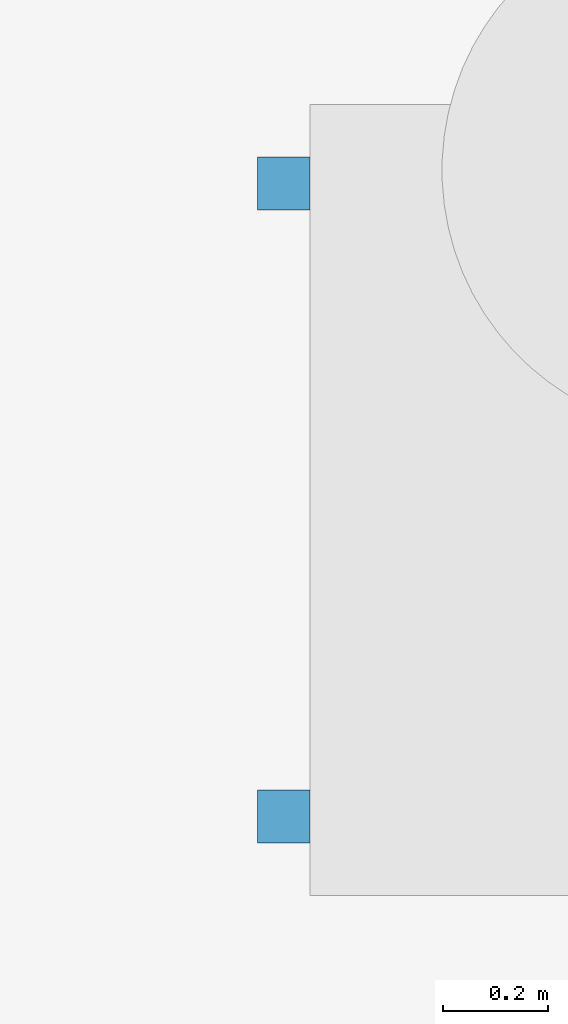
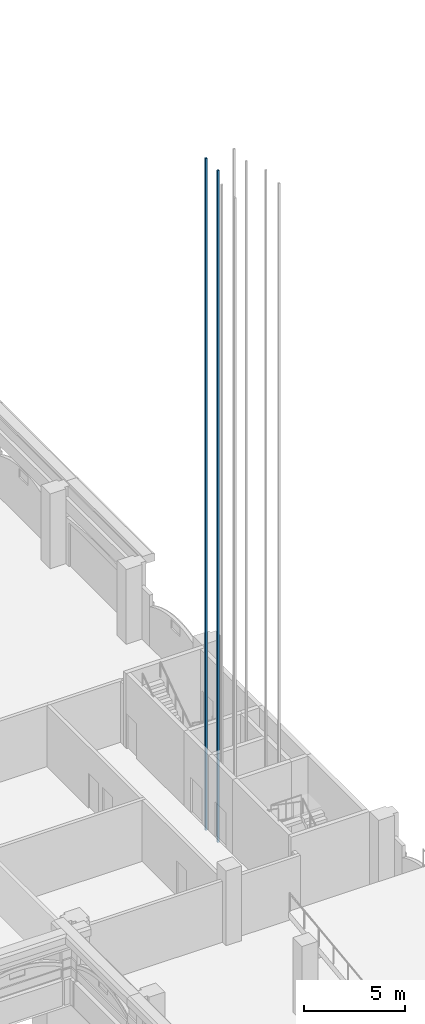
# One storey, part 54 of 99: 2 discrete accessories.
"""IFC4 building model written with IfcOpenShell, lengths in metres."""

import ifcopenshell
import ifcopenshell.guid

model = None  # the IFC model being written
_history = None  # IfcOwnerHistory: only IFC2X3 demands one
_inside = {}  # id of a spatial element -> (the spatial element, [elements in it])
_under = {}  # id of a project, library or spatial element -> (it, [spatial elements below it])
_declared = {}  # id of a project -> (the project, [libraries it declares])
_typed = {}  # id of a type object -> (the type object, [elements of that type])
_made_of = {}  # id of a material, layer set ... -> (it, [elements and type objects made of it])


def new_model(schema):
    """Start an empty IFC model of exactly this schema.

    Asked for "IFC4X3", IfcOpenShell would pick the latest addendum, in which some entities
    have other attributes; the version numbers below select the first issue.
    IFC2X3 requires an IfcOwnerHistory on every rooted entity: one is made here for all.
    """
    global model, _history
    if schema == "IFC4X3":
        model = ifcopenshell.file(schema_version=(4, 3, 0, 0))
    else:
        model = ifcopenshell.file(schema=schema)
    _inside.clear()
    _under.clear()
    _declared.clear()
    _typed.clear()
    _made_of.clear()
    _history = None
    if model.schema == "IFC2X3":
        org = make("IfcOrganization", Name="unknown")
        user = make(
            "IfcPersonAndOrganization",
            ThePerson=make("IfcPerson", FamilyName="unknown"),
            TheOrganization=org,
        )
        app = make(
            "IfcApplication",
            ApplicationDeveloper=org,
            Version="unknown",
            ApplicationFullName="unknown",
            ApplicationIdentifier="unknown",
        )
        _history = make(
            "IfcOwnerHistory",
            OwningUser=user,
            OwningApplication=app,
            ChangeAction="ADDED",
            CreationDate=0,
        )
    return model


def make(cls, **values):
    """One entity of the class cls with the attributes given. An attribute that is None is left unset."""
    return model.create_entity(
        cls, **{name: value for name, value in values.items() if value is not None}
    )


def rooted(cls, **values):
    """An entity with a GlobalId (a new one), such as an element, a storey or a relation."""
    return make(cls, GlobalId=ifcopenshell.guid.new(), OwnerHistory=_history, **values)


def si_unit(unit_type, name, prefix=None):
    """IfcSIUnit, for example si_unit("LENGTHUNIT", "METRE", prefix="MILLI")."""
    return make("IfcSIUnit", UnitType=unit_type, Prefix=prefix, Name=name)


def assignment(units):
    """IfcUnitAssignment: the units of a project."""
    return None if units is None else make("IfcUnitAssignment", Units=units)


def point(xyz):
    """IfcCartesianPoint."""
    return None if xyz is None else make("IfcCartesianPoint", Coordinates=xyz)


def direction(xyz):
    """IfcDirection."""
    return None if xyz is None else make("IfcDirection", DirectionRatios=xyz)


def frame(location, z_axis=None, x_axis=None):
    """IfcAxis2Placement3D, a coordinate frame: its origin and axes. An axis left out is left unset."""
    return make(
        "IfcAxis2Placement3D",
        Location=point(location),
        Axis=direction(z_axis),
        RefDirection=direction(x_axis),
    )


def frame_2d(location, x_axis=None):
    """IfcAxis2Placement2D, a coordinate frame in the plane: its origin and x axis."""
    return make(
        "IfcAxis2Placement2D", Location=point(location), RefDirection=direction(x_axis)
    )


def origin():
    """The frame at (0, 0, 0) with its axes left unset."""
    return frame((0.0, 0.0, 0.0))


def origin_2d():
    """The frame at (0, 0) in the plane with its x axis left unset."""
    return frame_2d((0.0, 0.0))


def place(relative_to, where):
    """IfcLocalPlacement: puts the frame where relative to a parent placement (None: the world)."""
    return make(
        "IfcLocalPlacement", PlacementRelTo=relative_to, RelativePlacement=where
    )


def context(
    kind, dimensions, precision=None, world=None, true_north=None, identifier=None
):
    """IfcGeometricRepresentationContext, for example the 3D "Model" context."""
    return make(
        "IfcGeometricRepresentationContext",
        ContextIdentifier=identifier,
        ContextType=kind,
        CoordinateSpaceDimension=dimensions,
        Precision=precision,
        WorldCoordinateSystem=world,
        TrueNorth=true_north,
    )


def subcontext(parent, identifier, kind, view, scale=None):
    """IfcGeometricRepresentationSubContext, for example "Body" below "Model"."""
    return make(
        "IfcGeometricRepresentationSubContext",
        ContextIdentifier=identifier,
        ContextType=kind,
        ParentContext=parent,
        TargetScale=scale,
        TargetView=view,
    )


def project(units=None, contexts=None):
    """IfcProject with its units and contexts."""
    return rooted(
        "IfcProject",
        Name="project",
        RepresentationContexts=contexts,
        UnitsInContext=assignment(units),
    )


def spatial(cls, under=None, at=None, **own):
    """A site, building, storey or space (cls), placed at a placement, below another one or the project."""
    s = rooted(cls, ObjectPlacement=at, **own)
    if under is not None:
        _under.setdefault(under.id(), (under, []))[1].append(s)
    return s


def profile(cls, at=None, kind="AREA", **sizes):
    """A parametric profile (cls). Its sizes go by their IFC names, for example OverallWidth=200.0."""
    return make(cls, ProfileType=kind, Position=at, **sizes)


def rectangle(**sizes):
    """IfcRectangleProfileDef."""
    return profile("IfcRectangleProfileDef", **sizes)


def extrude(swept, where, along, depth):
    """IfcExtrudedAreaSolid: the profile swept, set in the frame where, extruded along a direction by depth."""
    return make(
        "IfcExtrudedAreaSolid",
        SweptArea=swept,
        Position=where,
        ExtrudedDirection=direction(along),
        Depth=depth,
    )


def shape(context_of_items, identifier, shape_type, items):
    """IfcShapeRepresentation: the items that make up one representation, for example the "Body"."""
    return make(
        "IfcShapeRepresentation",
        ContextOfItems=context_of_items,
        RepresentationIdentifier=identifier,
        RepresentationType=shape_type,
        Items=items,
    )


def material(Name=None, Category=None):
    """IfcMaterial."""
    return make("IfcMaterial", Name=Name, Category=Category)


def made_of(thing, what):
    """Note that an element or type object is made of a material, layer set ...; save() writes the relation."""
    if what is not None:
        _made_of.setdefault(what.id(), (what, []))[1].append(thing)
    return thing


def type_object(cls, material=None, **own):
    """A type object (cls), such as IfcWallType, which elements share."""
    return made_of(rooted(cls, **own), material)


def element(
    cls,
    number,
    at=None,
    inside=None,
    cuts=None,
    type_object=None,
    material=None,
    context=None,
    identifier="Body",
    shape_type=None,
    held_by="IfcProductDefinitionShape",
    body=None,
    shapes=None,
    **own,
):
    """One element of the class cls, such as IfcWall. Its Tag is "e" and its number.

    at: its placement. inside: the storey or other place that contains it. cuts: it is an
    opening in that element (IfcRelVoidsElement). A single representation is given by context,
    identifier, shape_type and body (its items); several are given by shapes. held_by: the class
    of the entity that holds the representations. save() writes the other relations.
    """
    e = rooted(cls, Tag="e%d" % number, ObjectPlacement=at, **own)
    if body is not None:
        shapes = [shape(context, identifier, shape_type, body)]
    if shapes is not None:
        e.Representation = make(held_by, Representations=shapes)
    if inside is not None:
        _inside.setdefault(inside.id(), (inside, []))[1].append(e)
    if cuts is not None:
        rooted(
            "IfcRelVoidsElement", RelatingBuildingElement=cuts, RelatedOpeningElement=e
        )
    if type_object is not None:
        _typed.setdefault(type_object.id(), (type_object, []))[1].append(e)
    return made_of(e, material)


def aggregate(whole, parts):
    """IfcRelAggregates: a whole, such as a stair, and the parts it consists of."""
    return rooted("IfcRelAggregates", RelatingObject=whole, RelatedObjects=parts)


def save(model, path):
    """Write the relations noted so far, then the file.

    IfcRelAggregates (storeys below a building ...), IfcRelContainedInSpatialStructure (elements
    in a storey), IfcRelDefinesByType, IfcRelAssociatesMaterial and IfcRelDeclares: one each for
    every whole, place, type object, material and project.
    """
    for whole, parts in _under.values():
        aggregate(whole, parts)
    for where, things in _inside.values():
        rooted(
            "IfcRelContainedInSpatialStructure",
            RelatedElements=things,
            RelatingStructure=where,
        )
    for kind, things in _typed.values():
        rooted("IfcRelDefinesByType", RelatedObjects=things, RelatingType=kind)
    for what, things in _made_of.values():
        rooted("IfcRelAssociatesMaterial", RelatedObjects=things, RelatingMaterial=what)
    for by, libraries in _declared.values():
        rooted("IfcRelDeclares", RelatingContext=by, RelatedDefinitions=libraries)
    model.write(path)


model = new_model("IFC4")

# Units and contexts
model_context = context("Model", 3, precision=1e-05, world=origin(), true_north=direction((0.0, 1.0)))
body_context = subcontext(model_context, "Body", "Model", "MODEL_VIEW")
ifc_project = project(units=[si_unit("LENGTHUNIT", "METRE"), si_unit("AREAUNIT", "SQUARE_METRE"), si_unit("VOLUMEUNIT", "CUBIC_METRE"), si_unit("PLANEANGLEUNIT", "RADIAN"), si_unit("MASSUNIT", "GRAM", prefix="KILO")], contexts=[model_context])

# Site, building, storey
site_placement = place(None, origin())
site = spatial("IfcSite", under=ifc_project, at=site_placement, CompositionType="ELEMENT")
building_placement = place(site_placement, origin())
building = spatial("IfcBuilding", under=site, at=building_placement, Name="Cour d'Honneur Mobility Palace", CompositionType="ELEMENT")
storey_placement = place(building_placement, origin())
storey = spatial("IfcBuildingStorey", under=building, at=storey_placement, Name="L00", CompositionType="ELEMENT", Elevation=0.0)

# Discrete accessories
ifc_material = material(Name="Steel S355", Category="steel")
discrete_accessory_type = type_object("IfcDiscreteAccessoryType", Name="Lift guide rail", PredefinedType="USERDEFINED", material=ifc_material)
for number, where, z_axis, x_axis, name in (
    (1, (158.27490234375, 54.199951171875, -1.39990234375), (0.0, 0.0, 1.0), (1.0, 0.0, 0.0), "Guide rail LF-CE2"),
    (2, (158.27490234375, 55.39990234375, -1.39990234375), (0.0, 0.0, 1.0), (1.0, 0.0, 0.0), "Guide rail LF-CE2"),
):
    element("IfcDiscreteAccessory", number, at=place(storey_placement, frame(where, z_axis=z_axis, x_axis=x_axis)), inside=storey, type_object=discrete_accessory_type, Name=name, ObjectType="GUIDE RAIL", PredefinedType="USERDEFINED", context=body_context, shape_type="SweptSolid", body=[
        extrude(rectangle(XDim=0.10009765625, YDim=0.10009765625, at=origin_2d()), origin(), (0.0, 0.0, 1.0), 40.449951171875),
    ])

save(model, "model.ifc")
